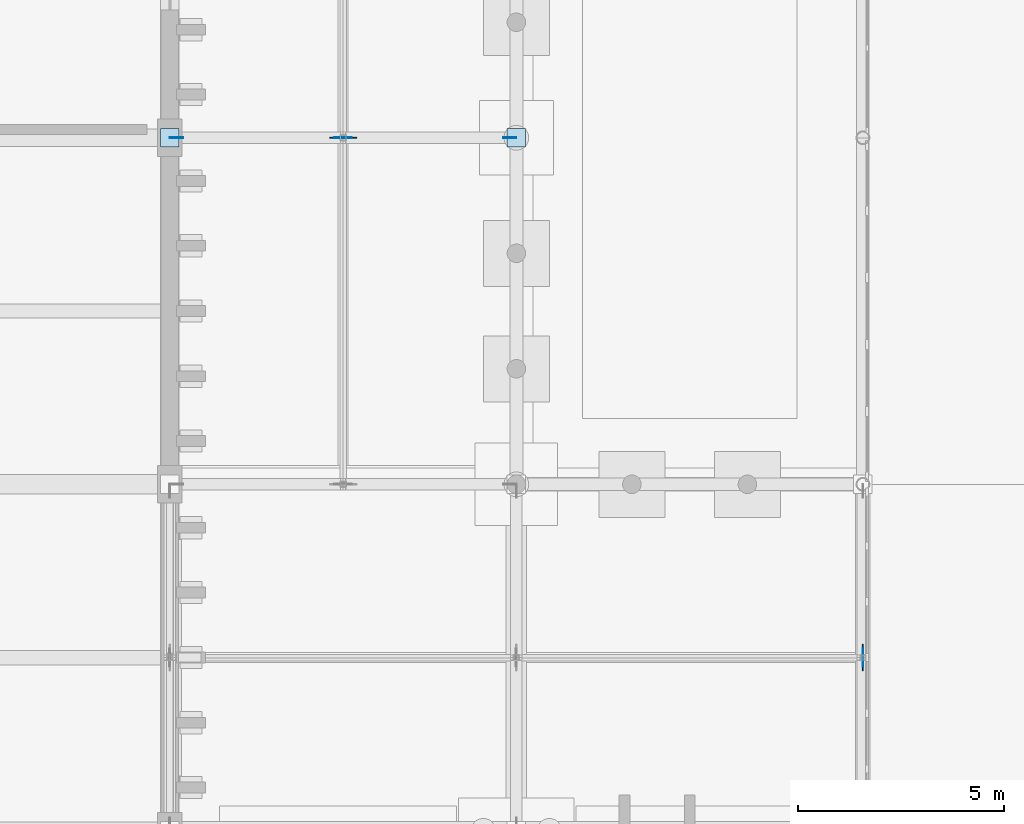
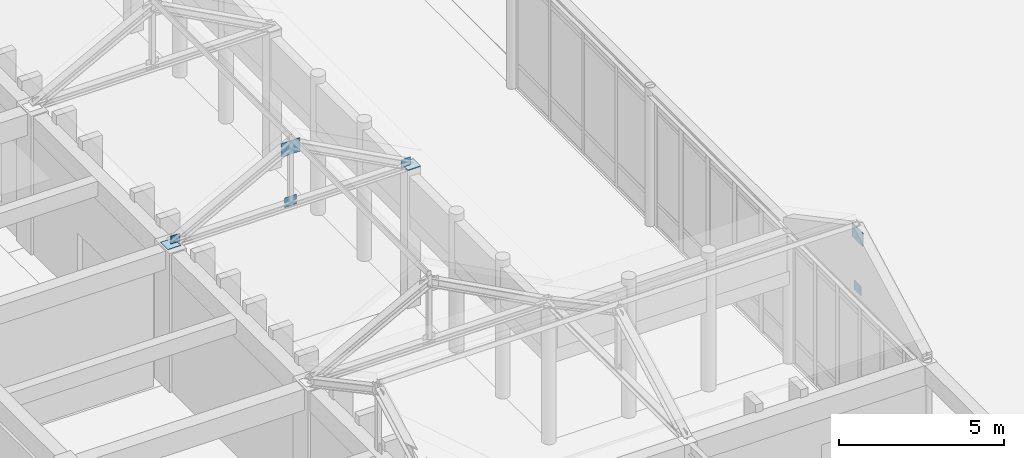
# One storey, part 85 of 143: 8 plates.
"""IFC4 building model written with IfcOpenShell, lengths in metres."""

from ifc_helpers import new_model, si_unit, direction, frame, origin, origin_2d, place, context, subcontext, project, spatial, rectangle, extrude, material, layer, layer_set, type_object, element, save


model = new_model("IFC4")

# Units and contexts
model_context = context("Model", 3, precision=1e-05, world=origin(), true_north=direction((0.0, 1.0)))
body_context = subcontext(model_context, "Body", "Model", "MODEL_VIEW")
ifc_project = project(units=[si_unit("LENGTHUNIT", "METRE"), si_unit("AREAUNIT", "SQUARE_METRE"), si_unit("VOLUMEUNIT", "CUBIC_METRE"), si_unit("PLANEANGLEUNIT", "RADIAN"), si_unit("MASSUNIT", "GRAM", prefix="KILO")], contexts=[model_context])

# Site, building, storey
site_placement = place(None, origin())
site = spatial("IfcSite", under=ifc_project, at=site_placement, CompositionType="ELEMENT")
building_placement = place(site_placement, origin())
building = spatial("IfcBuilding", under=site, at=building_placement, Name="Kveldsbrygga Polytechnic", CompositionType="ELEMENT")
storey_placement = place(building_placement, origin())
storey = spatial("IfcBuildingStorey", under=building, at=storey_placement, Name="L00", CompositionType="ELEMENT", Elevation=0.0)

# Plates
ifc_material = material(Name="Steel S355", Category="steel")
ifc_layer_1 = layer(ifc_material, 0.030029296875)
ifc_layer_set_1 = layer_set([ifc_layer_1], Name="Steel S355")
plate_type_1 = type_object("IfcPlateType", Name="CAP-BEAR-450", PredefinedType="SHEET", material=ifc_layer_set_1)
for number, where, z_axis, x_axis, name in (
    (1, (33.60009765625, 42.0, 5.10986328125), (0.0, 0.0, 1.0), (1.0, 0.0, 0.0), "Truss Bearing Plate ARC-WW-T02-A"),
    (2, (42.0, 42.0, 5.10986328125), (0.0, 0.0, 1.0), (1.0, 0.0, 0.0), "Truss Bearing Plate ARC-WW-T02-B"),
):
    element("IfcPlate", number, at=place(storey_placement, frame(where, z_axis=z_axis, x_axis=x_axis)), inside=storey, type_object=plate_type_1, Name=name, PredefinedType="SHEET", context=body_context, shape_type="SweptSolid", body=[
        extrude(rectangle(XDim=0.449951171875, YDim=0.449951171875, at=origin_2d()), origin(), (0.0, 0.0, 1.0), 0.030029296875),
    ])
ifc_layer_2 = layer(ifc_material, 0.02490234375)
ifc_layer_set_2 = layer_set([ifc_layer_2], Name="Steel S355")
plate_type_2 = type_object("IfcPlateType", Name="GUS-APEX-650", PredefinedType="SHEET", material=ifc_layer_set_2)
plate_1_placement = place(storey_placement, frame((50.39990234375, 29.39990234375, 6.989990234375), z_axis=(0.0, 0.0, 1.0), x_axis=(1.0, 0.0, 0.0)))
element("IfcPlate", 3, at=plate_1_placement, inside=storey, type_object=plate_type_2, Name="Truss Gusset Plate ARC-WS-T03-GP-1", PredefinedType="SHEET", context=body_context, shape_type="SweptSolid", body=[
    extrude(rectangle(XDim=0.02490234375, YDim=0.64990234375, at=origin_2d()), origin(), (0.0, 0.0, 1.0), 0.5),
])
plate_2_placement = place(storey_placement, frame((37.800048828125, 42.0, 6.989990234375), z_axis=(0.0, 0.0, 1.0), x_axis=(1.0, 0.0, 0.0)))
element("IfcPlate", 4, at=plate_2_placement, inside=storey, type_object=plate_type_2, Name="Truss Gusset Plate ARC-WW-T02-GP-1", PredefinedType="SHEET", context=body_context, shape_type="SweptSolid", body=[
    extrude(rectangle(XDim=0.64990234375, YDim=0.02490234375, at=origin_2d()), origin(), (0.0, 0.0, 1.0), 0.5),
])
ifc_layer_3 = layer(ifc_material, 0.01806640625)
ifc_layer_set_3 = layer_set([ifc_layer_3], Name="Steel S355")
plate_type_3 = type_object("IfcPlateType", Name="GUS-BRACE-320", PredefinedType="SHEET", material=ifc_layer_set_3)
for number, where, z_axis, x_axis, name in (
    (5, (33.760009765625, 42.0, 5.10009765625), (0.0, 0.0, 1.0), (1.0, 0.0, 0.0), "Truss Eaves Node Gusset ARC-WW-T02-EGP-A"),
    (6, (41.840087890625, 42.0, 5.10009765625), (0.0, 0.0, 1.0), (1.0, 0.0, 0.0), "Truss Eaves Node Gusset ARC-WW-T02-EGP-B"),
):
    element("IfcPlate", number, at=place(storey_placement, frame(where, z_axis=z_axis, x_axis=x_axis)), inside=storey, type_object=plate_type_3, Name=name, PredefinedType="SHEET", context=body_context, shape_type="SweptSolid", body=[
        extrude(rectangle(XDim=0.320068359375, YDim=0.01806640625, at=origin_2d()), origin(), (0.0, 0.0, 1.0), 0.320068359375),
    ])
ifc_layer_4 = layer(ifc_material, 0.02001953125)
ifc_layer_set_4 = layer_set([ifc_layer_4], Name="Steel S355")
plate_type_4 = type_object("IfcPlateType", Name="GUS-LECT-420", PredefinedType="SHEET", material=ifc_layer_set_4)
plate_3_placement = place(storey_placement, frame((50.39990234375, 29.39990234375, 5.0849609375), z_axis=(0.0, 0.0, 1.0), x_axis=(1.0, 0.0, 0.0)))
element("IfcPlate", 7, at=plate_3_placement, inside=storey, type_object=plate_type_4, Name="Truss Bottom-Chord Node Gusset ARC-WS-T03-BGP-1", PredefinedType="SHEET", context=body_context, shape_type="SweptSolid", body=[
    extrude(rectangle(XDim=0.02001953125, YDim=0.419921875, at=origin_2d()), origin(), (0.0, 0.0, 1.0), 0.35009765625),
])
plate_4_placement = place(storey_placement, frame((37.800048828125, 42.0, 5.0849609375), z_axis=(0.0, 0.0, 1.0), x_axis=(1.0, 0.0, 0.0)))
element("IfcPlate", 8, at=plate_4_placement, inside=storey, type_object=plate_type_4, Name="Truss Bottom-Chord Node Gusset ARC-WW-T02-BGP-1", PredefinedType="SHEET", context=body_context, shape_type="SweptSolid", body=[
    extrude(rectangle(XDim=0.419921875, YDim=0.02001953125, at=origin_2d()), origin(), (0.0, 0.0, 1.0), 0.35009765625),
])

save(model, "model.ifc")
